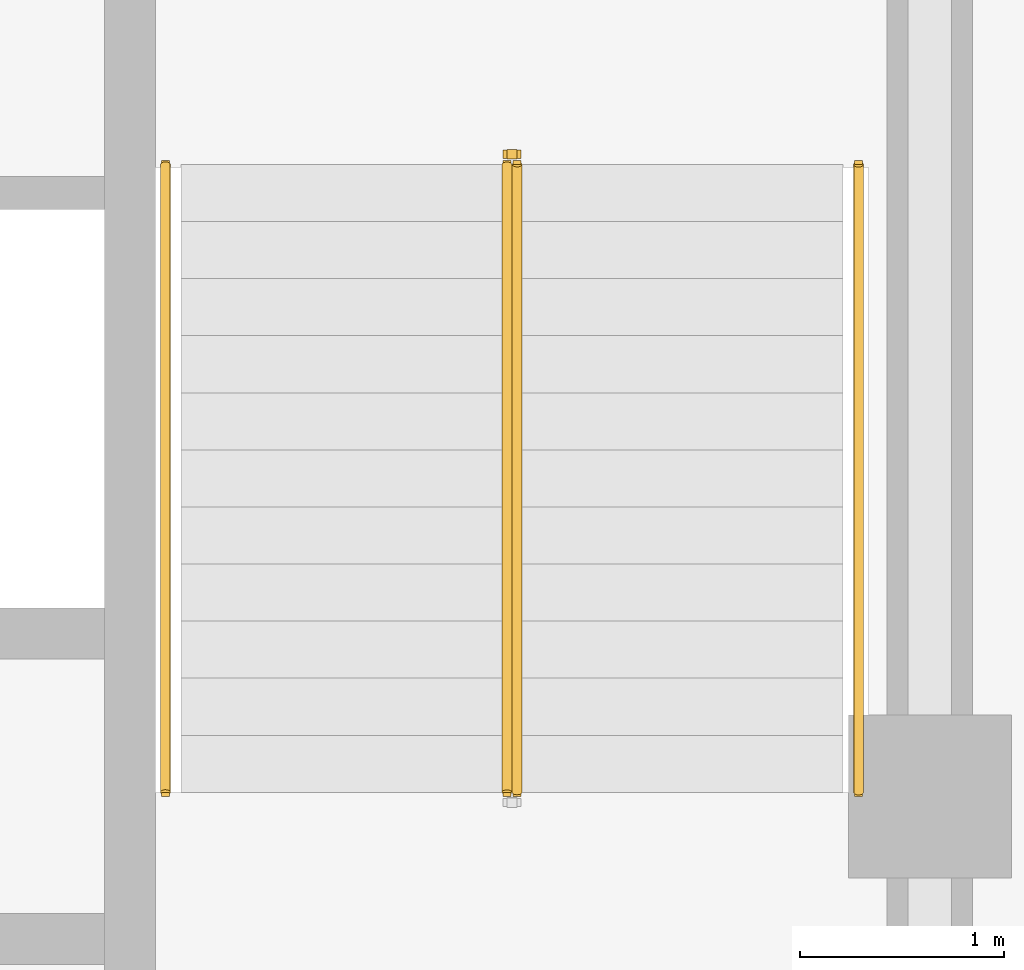
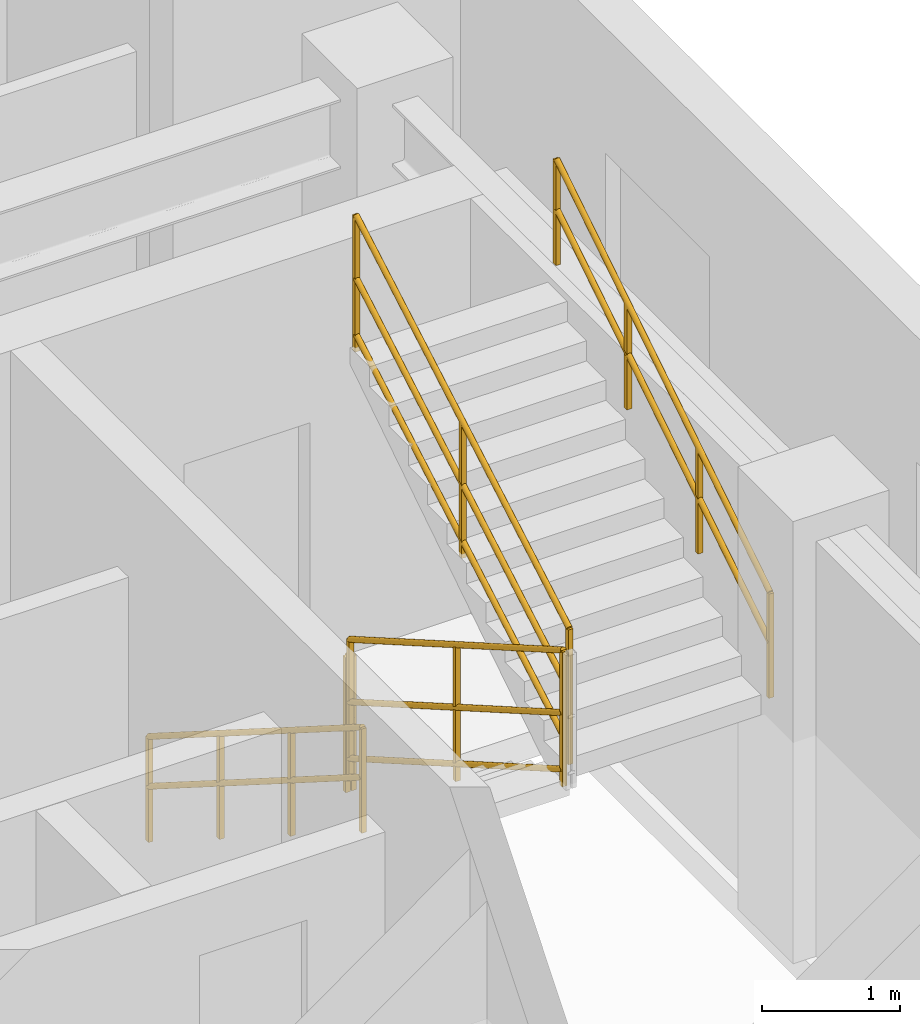
# One storey, part 8 of 9: 5 railings.
"""IFC4 building model written with IfcOpenShell, lengths in metres."""

from ifc_helpers import new_model, entity, si_unit, converted_unit, direction, frame, origin_with_axes, origin_2d_with_axis, place, context, subcontext, project, spatial, rectangle, circle, extrude, material, type_object, element, save


model = new_model("IFC4")

# Units and contexts
model_context = context("Model", 3, precision=1e-05, world=origin_with_axes(), true_north=direction((0.0, 1.0)))
body_context = subcontext(model_context, "Body", "Model", "MODEL_VIEW")
ifc_project = project(units=[si_unit("LENGTHUNIT", "METRE"), si_unit("AREAUNIT", "SQUARE_METRE"), si_unit("VOLUMEUNIT", "CUBIC_METRE"), converted_unit("PLANEANGLEUNIT", "DEGREE", entity("IfcPlaneAngleMeasure", 0.017453292519943295), si_unit("PLANEANGLEUNIT", "RADIAN"), dimensions=[0, 0, 0, 0, 0, 0, 0]), si_unit("MASSUNIT", "GRAM", prefix="KILO"), si_unit("THERMODYNAMICTEMPERATUREUNIT", "KELVIN")], contexts=[model_context])

# Site, building, storey
site_placement = place(None, origin_with_axes())
site = spatial("IfcSite", under=ifc_project, at=site_placement, CompositionType="ELEMENT")
building_placement = place(site_placement, origin_with_axes())
building = spatial("IfcBuilding", under=site, at=building_placement, Name="Varnlund Millrace Tower", CompositionType="ELEMENT")
storey_placement = place(building_placement, frame((0.0, 0.0, 256.8), z_axis=(0.0, 0.0, 1.0), x_axis=(1.0, 0.0, 0.0)))
storey = spatial("IfcBuildingStorey", under=building, at=storey_placement, Name="L63", CompositionType="ELEMENT", Elevation=256.8)

# Railings
ifc_material_1 = material(Name="Painted steel stair well balustrade guard", Category="steel")
railing_type_1 = type_object("IfcRailingType", Name="Type-StairGuard-1150", PredefinedType="GUARDRAIL", material=ifc_material_1)
railing_1_placement = place(storey_placement, frame((0.0, 0.0, -256.8), z_axis=(0.0, 0.0, 1.0), x_axis=(1.0, 0.0, 0.0)))
element("IfcRailing", 1, at=railing_1_placement, inside=storey, type_object=railing_type_1, Name="Type-StairGuard-1150", PredefinedType="GUARDRAIL", context=body_context, shape_type="SweptSolid", body=[
    extrude(circle(Radius=0.024, at=origin_2d_with_axis()), frame((45.975, 21.1, 258.127273), z_axis=(0.0, -0.866696, 0.498836), x_axis=(1.0, 0.0, 0.0)), (0.0, 0.0, 1.0), 3.553725),
    extrude(circle(Radius=0.024, at=origin_2d_with_axis()), frame((45.975, 21.1, 257.077273), z_axis=(0.0, -0.866696, 0.498836), x_axis=(1.0, 0.0, 0.0)), (0.0, 0.0, 1.0), 3.553725),
    extrude(circle(Radius=0.024, at=origin_2d_with_axis()), frame((45.975, 21.1, 257.575273), z_axis=(0.0, -0.866696, 0.498836), x_axis=(1.0, 0.0, 0.0)), (0.0, 0.0, 1.0), 3.553725),
    extrude(rectangle(XDim=0.04, YDim=0.04, at=origin_2d_with_axis()), frame((45.975, 21.1, 256.937273), z_axis=(0.0, 0.0, 1.0), x_axis=(1.0, 0.0, 0.0)), (0.0, 0.0, 1.0), 1.19),
    extrude(rectangle(XDim=0.04, YDim=0.04, at=origin_2d_with_axis()), frame((45.975, 19.56, 257.823636), z_axis=(0.0, 0.0, 1.0), x_axis=(1.0, 0.0, 0.0)), (0.0, 0.0, 1.0), 1.19),
    extrude(rectangle(XDim=0.04, YDim=0.04, at=origin_2d_with_axis()), frame((45.975, 18.02, 258.71), z_axis=(0.0, 0.0, 1.0), x_axis=(1.0, 0.0, 0.0)), (0.0, 0.0, 1.0), 1.19),
])
railing_2_placement = place(storey_placement, frame((0.0, 0.0, -256.8), z_axis=(0.0, 0.0, 1.0), x_axis=(1.0, 0.0, 0.0)))
element("IfcRailing", 2, at=railing_2_placement, inside=storey, type_object=railing_type_1, Name="Type-StairGuard-1150", PredefinedType="GUARDRAIL", context=body_context, shape_type="SweptSolid", body=[
    extrude(circle(Radius=0.024, at=origin_2d_with_axis()), frame((46.025, 18.02, 260.077273), z_axis=(0.0, 0.866696, 0.498836), x_axis=(-1.0, 0.0, 0.0)), (0.0, 0.0, 1.0), 3.553725),
    extrude(circle(Radius=0.024, at=origin_2d_with_axis()), frame((46.025, 18.02, 259.027273), z_axis=(0.0, 0.866696, 0.498836), x_axis=(-1.0, 0.0, 0.0)), (0.0, 0.0, 1.0), 3.553725),
    extrude(circle(Radius=0.024, at=origin_2d_with_axis()), frame((46.025, 18.02, 259.525273), z_axis=(0.0, 0.866696, 0.498836), x_axis=(-1.0, 0.0, 0.0)), (0.0, 0.0, 1.0), 3.553725),
    extrude(rectangle(XDim=0.04, YDim=0.04, at=origin_2d_with_axis()), frame((46.025, 18.02, 258.887273), z_axis=(0.0, 0.0, 1.0), x_axis=(1.0, 0.0, 0.0)), (0.0, 0.0, 1.0), 1.19),
    extrude(rectangle(XDim=0.04, YDim=0.04, at=origin_2d_with_axis()), frame((46.025, 19.56, 259.773637), z_axis=(0.0, 0.0, 1.0), x_axis=(1.0, 0.0, 0.0)), (0.0, 0.0, 1.0), 1.19),
    extrude(rectangle(XDim=0.04, YDim=0.04, at=origin_2d_with_axis()), frame((46.025, 21.1, 260.66), z_axis=(0.0, 0.0, 1.0), x_axis=(1.0, 0.0, 0.0)), (0.0, 0.0, 1.0), 1.19),
])
railing_3_placement = place(storey_placement, frame((0.0, 0.0, -256.8), z_axis=(0.0, 0.0, 1.0), x_axis=(1.0, 0.0, 0.0)))
element("IfcRailing", 3, at=railing_3_placement, inside=storey, type_object=railing_type_1, Name="Type-StairGuard-1150", PredefinedType="GUARDRAIL", context=body_context, shape_type="SweptSolid", body=[
    extrude(circle(Radius=0.024, at=origin_2d_with_axis()), frame((46.025, 21.15, 257.95), z_axis=(-1.0, 0.0, 0.0), x_axis=(0.0, -1.0, 0.0)), (0.0, 0.0, 1.0), 0.05),
    extrude(circle(Radius=0.024, at=origin_2d_with_axis()), frame((46.025, 21.15, 256.9), z_axis=(-1.0, 0.0, 0.0), x_axis=(0.0, -1.0, 0.0)), (0.0, 0.0, 1.0), 0.05),
    extrude(circle(Radius=0.024, at=origin_2d_with_axis()), frame((46.025, 21.15, 257.398), z_axis=(-1.0, 0.0, 0.0), x_axis=(0.0, -1.0, 0.0)), (0.0, 0.0, 1.0), 0.05),
    extrude(rectangle(XDim=0.04, YDim=0.04, at=origin_2d_with_axis()), frame((46.025, 21.15, 256.76), z_axis=(0.0, 0.0, 1.0), x_axis=(1.0, 0.0, 0.0)), (0.0, 0.0, 1.0), 1.19),
    extrude(rectangle(XDim=0.04, YDim=0.04, at=origin_2d_with_axis()), frame((45.975, 21.15, 256.76), z_axis=(0.0, 0.0, 1.0), x_axis=(1.0, 0.0, 0.0)), (0.0, 0.0, 1.0), 1.19),
])
ifc_material_2 = material(Name="Brushed architectural bronze stair handrail", Category="aluminium")
railing_type_2 = type_object("IfcRailingType", Name="Type-StairHandrail-900", PredefinedType="HANDRAIL", material=ifc_material_2)
railing_4_placement = place(storey_placement, frame((0.0, 0.0, -256.8), z_axis=(0.0, 0.0, 1.0), x_axis=(1.0, 0.0, 0.0)))
element("IfcRailing", 4, at=railing_4_placement, inside=storey, type_object=railing_type_2, Name="Type-StairHandrail-900", PredefinedType="HANDRAIL", context=body_context, shape_type="SweptSolid", body=[
    extrude(circle(Radius=0.024, at=origin_2d_with_axis()), frame((44.3, 21.1, 257.856995), z_axis=(0.0, -0.844902, 0.534922), x_axis=(1.0, 0.0, 0.0)), (0.0, 0.0, 1.0), 3.645394),
    extrude(circle(Radius=0.024, at=origin_2d_with_axis()), frame((44.3, 21.1, 257.417134), z_axis=(0.0, -0.844902, 0.534922), x_axis=(1.0, 0.0, 0.0)), (0.0, 0.0, 1.0), 3.645394),
    extrude(rectangle(XDim=0.04, YDim=0.04, at=origin_2d_with_axis()), frame((44.3, 21.1, 256.937273), z_axis=(0.0, 0.0, 1.0), x_axis=(1.0, 0.0, 0.0)), (0.0, 0.0, 1.0), 0.919722),
    extrude(rectangle(XDim=0.04, YDim=0.04, at=origin_2d_with_axis()), frame((44.3, 20.073333, 257.587273), z_axis=(0.0, 0.0, 1.0), x_axis=(1.0, 0.0, 0.0)), (0.0, 0.0, 1.0), 0.919722),
    extrude(rectangle(XDim=0.04, YDim=0.04, at=origin_2d_with_axis()), frame((44.3, 19.046667, 258.237273), z_axis=(0.0, 0.0, 1.0), x_axis=(1.0, 0.0, 0.0)), (0.0, 0.0, 1.0), 0.919722),
    extrude(rectangle(XDim=0.04, YDim=0.04, at=origin_2d_with_axis()), frame((44.3, 18.02, 258.887273), z_axis=(0.0, 0.0, 1.0), x_axis=(1.0, 0.0, 0.0)), (0.0, 0.0, 1.0), 0.919722),
])
railing_5_placement = place(storey_placement, frame((0.0, 0.0, -256.8), z_axis=(0.0, 0.0, 1.0), x_axis=(1.0, 0.0, 0.0)))
element("IfcRailing", 5, at=railing_5_placement, inside=storey, type_object=railing_type_2, Name="Type-StairHandrail-900", PredefinedType="HANDRAIL", context=body_context, shape_type="SweptSolid", body=[
    extrude(circle(Radius=0.024, at=origin_2d_with_axis()), frame((47.7, 18.02, 259.806995), z_axis=(0.0, 0.844902, 0.534922), x_axis=(-1.0, 0.0, 0.0)), (0.0, 0.0, 1.0), 3.645394),
    extrude(circle(Radius=0.024, at=origin_2d_with_axis()), frame((47.7, 18.02, 259.367134), z_axis=(0.0, 0.844902, 0.534922), x_axis=(-1.0, 0.0, 0.0)), (0.0, 0.0, 1.0), 3.645394),
    extrude(rectangle(XDim=0.04, YDim=0.04, at=origin_2d_with_axis()), frame((47.7, 18.02, 258.887273), z_axis=(0.0, 0.0, 1.0), x_axis=(1.0, 0.0, 0.0)), (0.0, 0.0, 1.0), 0.919722),
    extrude(rectangle(XDim=0.04, YDim=0.04, at=origin_2d_with_axis()), frame((47.7, 19.046667, 259.537273), z_axis=(0.0, 0.0, 1.0), x_axis=(1.0, 0.0, 0.0)), (0.0, 0.0, 1.0), 0.919722),
    extrude(rectangle(XDim=0.04, YDim=0.04, at=origin_2d_with_axis()), frame((47.7, 20.073333, 260.187273), z_axis=(0.0, 0.0, 1.0), x_axis=(1.0, 0.0, 0.0)), (0.0, 0.0, 1.0), 0.919722),
    extrude(rectangle(XDim=0.04, YDim=0.04, at=origin_2d_with_axis()), frame((47.7, 21.1, 260.837273), z_axis=(0.0, 0.0, 1.0), x_axis=(1.0, 0.0, 0.0)), (0.0, 0.0, 1.0), 0.919722),
])

save(model, "model.ifc")
